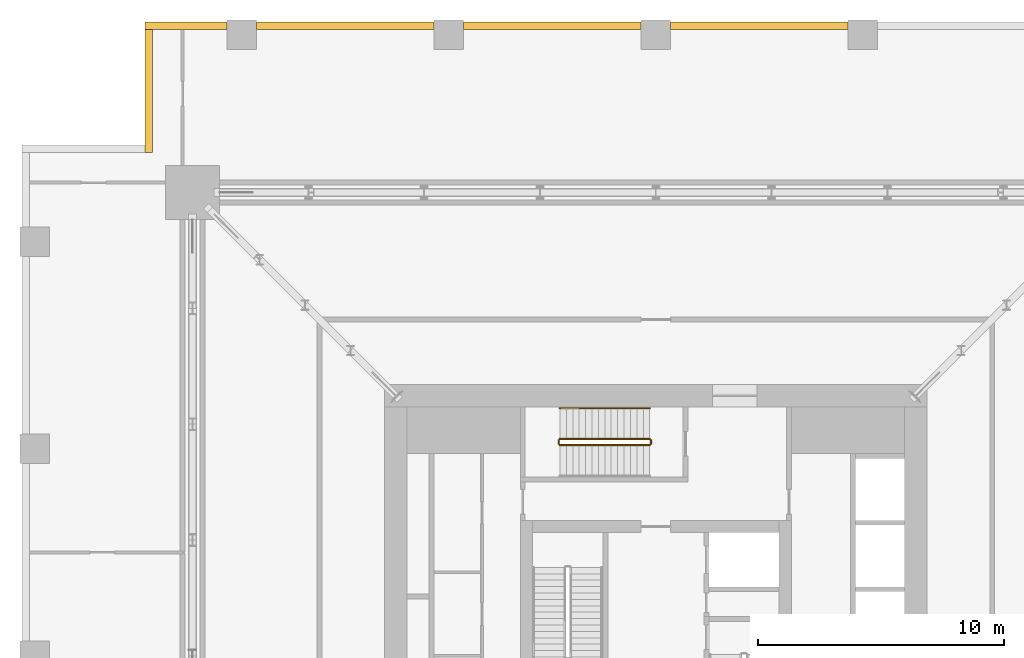
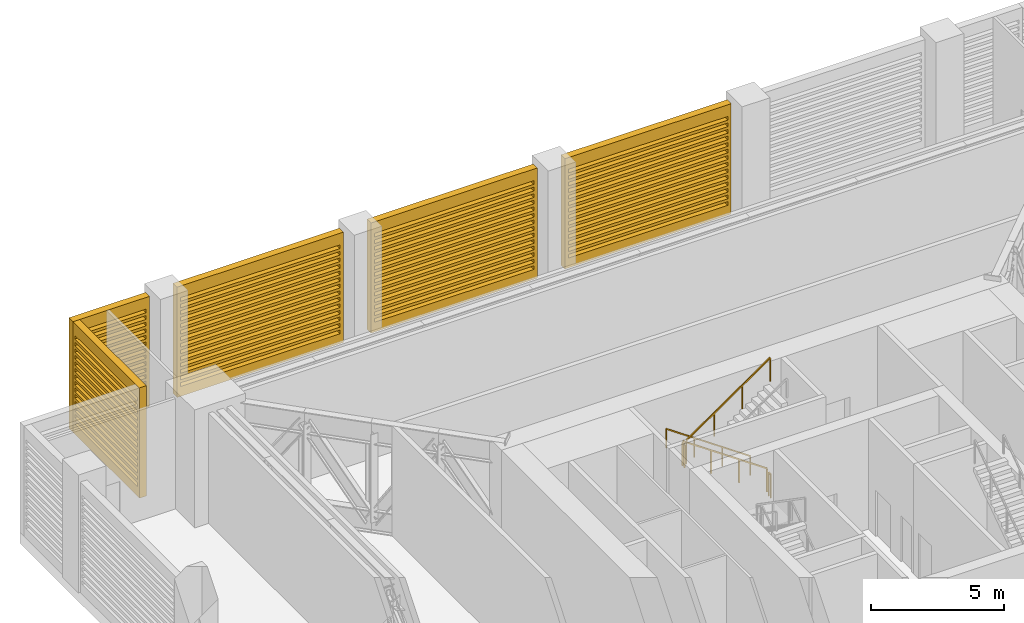
# One storey, part 15 of 16: 5 railings, 5 shading devices.
"""IFC4 building model written with IfcOpenShell, lengths in metres."""

from ifc_helpers import new_model, si_unit, direction, frame, origin, origin_2d, place, context, subcontext, project, spatial, polyline, rectangle, outline, extrude, material, type_object, element, save


model = new_model("IFC4")

# Units and contexts
model_context = context("Model", 3, precision=1e-05, world=origin(), true_north=direction((0.0, 1.0)))
body_context = subcontext(model_context, "Body", "Model", "MODEL_VIEW")
ifc_project = project(units=[si_unit("LENGTHUNIT", "METRE"), si_unit("AREAUNIT", "SQUARE_METRE"), si_unit("VOLUMEUNIT", "CUBIC_METRE"), si_unit("PLANEANGLEUNIT", "RADIAN"), si_unit("MASSUNIT", "GRAM", prefix="KILO")], contexts=[model_context])

# Site, building, storey
site_placement = place(None, origin())
site = spatial("IfcSite", under=ifc_project, at=site_placement, CompositionType="ELEMENT")
building_placement = place(site_placement, origin())
building = spatial("IfcBuilding", under=site, at=building_placement, Name="Khepri Terraces", CompositionType="ELEMENT")
storey_placement = place(building_placement, frame((0.0, 0.0, 287.39990234375)))
storey = spatial("IfcBuildingStorey", under=building, at=storey_placement, Name="L69", CompositionType="ELEMENT", Elevation=287.39990234375)

# Shading devices
ifc_material_1 = material(Name="Anodised aluminium bronze", Category="aluminium")
shading_device_type = type_object("IfcShadingDeviceType", Name="LVR-PLANT-300", PredefinedType="USERDEFINED", material=ifc_material_1)
shading_device_1_placement = place(storey_placement, frame((7.800048828125, 25.419921875, 0.0), z_axis=(0.0, 1.0, 0.0), x_axis=(-1.0, 0.0, 0.0)))
element("IfcShadingDevice", 1, at=shading_device_1_placement, inside=storey, type_object=shading_device_type, Name="Louvre wall L69 N", ObjectType="LOUVRE", PredefinedType="USERDEFINED", context=body_context, shape_type="SweptSolid", body=[
    extrude(outline(polyline([(0.0, 0.0), (7.199951171875, 0.0), (7.199951171875, 5.050048828125), (0.0, 5.050048828125), (0.0, 0.0)]), holes=[polyline([(0.14990234375, 0.449951171875), (7.050048828125, 0.449951171875), (7.050048828125, 0.6201171875), (0.14990234375, 0.6201171875), (0.14990234375, 0.449951171875)]), polyline([(0.14990234375, 0.75), (7.050048828125, 0.75), (7.050048828125, 0.919921875), (0.14990234375, 0.919921875), (0.14990234375, 0.75)]), polyline([(0.14990234375, 1.050048828125), (7.050048828125, 1.050048828125), (7.050048828125, 1.219970703125), (0.14990234375, 1.219970703125), (0.14990234375, 1.050048828125)]), polyline([(0.14990234375, 1.35009765625), (7.050048828125, 1.35009765625), (7.050048828125, 1.52001953125), (0.14990234375, 1.52001953125), (0.14990234375, 1.35009765625)]), polyline([(0.14990234375, 1.64990234375), (7.050048828125, 1.64990234375), (7.050048828125, 1.820068359375), (0.14990234375, 1.820068359375), (0.14990234375, 1.64990234375)]), polyline([(0.14990234375, 1.949951171875), (7.050048828125, 1.949951171875), (7.050048828125, 2.1201171875), (0.14990234375, 2.1201171875), (0.14990234375, 1.949951171875)]), polyline([(0.14990234375, 2.25), (7.050048828125, 2.25), (7.050048828125, 2.419921875), (0.14990234375, 2.419921875), (0.14990234375, 2.25)]), polyline([(0.14990234375, 2.550048828125), (7.050048828125, 2.550048828125), (7.050048828125, 2.719970703125), (0.14990234375, 2.719970703125), (0.14990234375, 2.550048828125)]), polyline([(0.14990234375, 2.85009765625), (7.050048828125, 2.85009765625), (7.050048828125, 3.02001953125), (0.14990234375, 3.02001953125), (0.14990234375, 2.85009765625)]), polyline([(0.14990234375, 3.14990234375), (7.050048828125, 3.14990234375), (7.050048828125, 3.320068359375), (0.14990234375, 3.320068359375), (0.14990234375, 3.14990234375)]), polyline([(0.14990234375, 3.449951171875), (7.050048828125, 3.449951171875), (7.050048828125, 3.6201171875), (0.14990234375, 3.6201171875), (0.14990234375, 3.449951171875)]), polyline([(0.14990234375, 3.75), (7.050048828125, 3.75), (7.050048828125, 3.919921875), (0.14990234375, 3.919921875), (0.14990234375, 3.75)]), polyline([(0.14990234375, 4.050048828125), (7.050048828125, 4.050048828125), (7.050048828125, 4.219970703125), (0.14990234375, 4.219970703125), (0.14990234375, 4.050048828125)]), polyline([(0.14990234375, 4.35009765625), (7.050048828125, 4.35009765625), (7.050048828125, 4.52001953125), (0.14990234375, 4.52001953125), (0.14990234375, 4.35009765625)])]), origin(), (0.0, 0.0, 1.0), 0.300048828125),
])
shading_device_2_placement = place(storey_placement, frame((-0.60009765625, 25.419921875, 0.0), z_axis=(0.0, 1.0, 0.0), x_axis=(-1.0, 0.0, 0.0)))
element("IfcShadingDevice", 2, at=shading_device_2_placement, inside=storey, type_object=shading_device_type, Name="Louvre wall L69 N", ObjectType="LOUVRE", PredefinedType="USERDEFINED", context=body_context, shape_type="SweptSolid", body=[
    extrude(outline(polyline([(0.0, 0.0), (7.199951171875, 0.0), (7.199951171875, 5.050048828125), (0.0, 5.050048828125), (0.0, 0.0)]), holes=[polyline([(0.14990234375, 0.449951171875), (7.050048828125, 0.449951171875), (7.050048828125, 0.6201171875), (0.14990234375, 0.6201171875), (0.14990234375, 0.449951171875)]), polyline([(0.14990234375, 0.75), (7.050048828125, 0.75), (7.050048828125, 0.919921875), (0.14990234375, 0.919921875), (0.14990234375, 0.75)]), polyline([(0.14990234375, 1.050048828125), (7.050048828125, 1.050048828125), (7.050048828125, 1.219970703125), (0.14990234375, 1.219970703125), (0.14990234375, 1.050048828125)]), polyline([(0.14990234375, 1.35009765625), (7.050048828125, 1.35009765625), (7.050048828125, 1.52001953125), (0.14990234375, 1.52001953125), (0.14990234375, 1.35009765625)]), polyline([(0.14990234375, 1.64990234375), (7.050048828125, 1.64990234375), (7.050048828125, 1.820068359375), (0.14990234375, 1.820068359375), (0.14990234375, 1.64990234375)]), polyline([(0.14990234375, 1.949951171875), (7.050048828125, 1.949951171875), (7.050048828125, 2.1201171875), (0.14990234375, 2.1201171875), (0.14990234375, 1.949951171875)]), polyline([(0.14990234375, 2.25), (7.050048828125, 2.25), (7.050048828125, 2.419921875), (0.14990234375, 2.419921875), (0.14990234375, 2.25)]), polyline([(0.14990234375, 2.550048828125), (7.050048828125, 2.550048828125), (7.050048828125, 2.719970703125), (0.14990234375, 2.719970703125), (0.14990234375, 2.550048828125)]), polyline([(0.14990234375, 2.85009765625), (7.050048828125, 2.85009765625), (7.050048828125, 3.02001953125), (0.14990234375, 3.02001953125), (0.14990234375, 2.85009765625)]), polyline([(0.14990234375, 3.14990234375), (7.050048828125, 3.14990234375), (7.050048828125, 3.320068359375), (0.14990234375, 3.320068359375), (0.14990234375, 3.14990234375)]), polyline([(0.14990234375, 3.449951171875), (7.050048828125, 3.449951171875), (7.050048828125, 3.6201171875), (0.14990234375, 3.6201171875), (0.14990234375, 3.449951171875)]), polyline([(0.14990234375, 3.75), (7.050048828125, 3.75), (7.050048828125, 3.919921875), (0.14990234375, 3.919921875), (0.14990234375, 3.75)]), polyline([(0.14990234375, 4.050048828125), (7.050048828125, 4.050048828125), (7.050048828125, 4.219970703125), (0.14990234375, 4.219970703125), (0.14990234375, 4.050048828125)]), polyline([(0.14990234375, 4.35009765625), (7.050048828125, 4.35009765625), (7.050048828125, 4.52001953125), (0.14990234375, 4.52001953125), (0.14990234375, 4.35009765625)])]), origin(), (0.0, 0.0, 1.0), 0.300048828125),
])
shading_device_3_placement = place(storey_placement, frame((-9.0, 25.419921875, 0.0), z_axis=(0.0, 1.0, 0.0), x_axis=(-1.0, 0.0, 0.0)))
element("IfcShadingDevice", 3, at=shading_device_3_placement, inside=storey, type_object=shading_device_type, Name="Louvre wall L69 N", ObjectType="LOUVRE", PredefinedType="USERDEFINED", context=body_context, shape_type="SweptSolid", body=[
    extrude(outline(polyline([(0.0, 0.0), (7.199951171875, 0.0), (7.199951171875, 5.050048828125), (0.0, 5.050048828125), (0.0, 0.0)]), holes=[polyline([(0.14990234375, 0.449951171875), (7.050048828125, 0.449951171875), (7.050048828125, 0.6201171875), (0.14990234375, 0.6201171875), (0.14990234375, 0.449951171875)]), polyline([(0.14990234375, 0.75), (7.050048828125, 0.75), (7.050048828125, 0.919921875), (0.14990234375, 0.919921875), (0.14990234375, 0.75)]), polyline([(0.14990234375, 1.050048828125), (7.050048828125, 1.050048828125), (7.050048828125, 1.219970703125), (0.14990234375, 1.219970703125), (0.14990234375, 1.050048828125)]), polyline([(0.14990234375, 1.35009765625), (7.050048828125, 1.35009765625), (7.050048828125, 1.52001953125), (0.14990234375, 1.52001953125), (0.14990234375, 1.35009765625)]), polyline([(0.14990234375, 1.64990234375), (7.050048828125, 1.64990234375), (7.050048828125, 1.820068359375), (0.14990234375, 1.820068359375), (0.14990234375, 1.64990234375)]), polyline([(0.14990234375, 1.949951171875), (7.050048828125, 1.949951171875), (7.050048828125, 2.1201171875), (0.14990234375, 2.1201171875), (0.14990234375, 1.949951171875)]), polyline([(0.14990234375, 2.25), (7.050048828125, 2.25), (7.050048828125, 2.419921875), (0.14990234375, 2.419921875), (0.14990234375, 2.25)]), polyline([(0.14990234375, 2.550048828125), (7.050048828125, 2.550048828125), (7.050048828125, 2.719970703125), (0.14990234375, 2.719970703125), (0.14990234375, 2.550048828125)]), polyline([(0.14990234375, 2.85009765625), (7.050048828125, 2.85009765625), (7.050048828125, 3.02001953125), (0.14990234375, 3.02001953125), (0.14990234375, 2.85009765625)]), polyline([(0.14990234375, 3.14990234375), (7.050048828125, 3.14990234375), (7.050048828125, 3.320068359375), (0.14990234375, 3.320068359375), (0.14990234375, 3.14990234375)]), polyline([(0.14990234375, 3.449951171875), (7.050048828125, 3.449951171875), (7.050048828125, 3.6201171875), (0.14990234375, 3.6201171875), (0.14990234375, 3.449951171875)]), polyline([(0.14990234375, 3.75), (7.050048828125, 3.75), (7.050048828125, 3.919921875), (0.14990234375, 3.919921875), (0.14990234375, 3.75)]), polyline([(0.14990234375, 4.050048828125), (7.050048828125, 4.050048828125), (7.050048828125, 4.219970703125), (0.14990234375, 4.219970703125), (0.14990234375, 4.050048828125)]), polyline([(0.14990234375, 4.35009765625), (7.050048828125, 4.35009765625), (7.050048828125, 4.52001953125), (0.14990234375, 4.52001953125), (0.14990234375, 4.35009765625)])]), origin(), (0.0, 0.0, 1.0), 0.300048828125),
])
shading_device_4_placement = place(storey_placement, frame((-17.39990234375, 25.419921875, 0.0), z_axis=(0.0, 1.0, 0.0), x_axis=(-1.0, 0.0, 0.0)))
element("IfcShadingDevice", 4, at=shading_device_4_placement, inside=storey, type_object=shading_device_type, Name="Louvre wall L69 N", ObjectType="LOUVRE", PredefinedType="USERDEFINED", context=body_context, shape_type="SweptSolid", body=[
    extrude(outline(polyline([(0.0, 0.0), (3.320068359375, 0.0), (3.320068359375, 5.050048828125), (0.0, 5.050048828125), (0.0, 0.0)]), holes=[polyline([(0.14990234375, 0.449951171875), (3.169921875, 0.449951171875), (3.169921875, 0.6201171875), (0.14990234375, 0.6201171875), (0.14990234375, 0.449951171875)]), polyline([(0.14990234375, 0.75), (3.169921875, 0.75), (3.169921875, 0.919921875), (0.14990234375, 0.919921875), (0.14990234375, 0.75)]), polyline([(0.14990234375, 1.050048828125), (3.169921875, 1.050048828125), (3.169921875, 1.219970703125), (0.14990234375, 1.219970703125), (0.14990234375, 1.050048828125)]), polyline([(0.14990234375, 1.35009765625), (3.169921875, 1.35009765625), (3.169921875, 1.52001953125), (0.14990234375, 1.52001953125), (0.14990234375, 1.35009765625)]), polyline([(0.14990234375, 1.64990234375), (3.169921875, 1.64990234375), (3.169921875, 1.820068359375), (0.14990234375, 1.820068359375), (0.14990234375, 1.64990234375)]), polyline([(0.14990234375, 1.949951171875), (3.169921875, 1.949951171875), (3.169921875, 2.1201171875), (0.14990234375, 2.1201171875), (0.14990234375, 1.949951171875)]), polyline([(0.14990234375, 2.25), (3.169921875, 2.25), (3.169921875, 2.419921875), (0.14990234375, 2.419921875), (0.14990234375, 2.25)]), polyline([(0.14990234375, 2.550048828125), (3.169921875, 2.550048828125), (3.169921875, 2.719970703125), (0.14990234375, 2.719970703125), (0.14990234375, 2.550048828125)]), polyline([(0.14990234375, 2.85009765625), (3.169921875, 2.85009765625), (3.169921875, 3.02001953125), (0.14990234375, 3.02001953125), (0.14990234375, 2.85009765625)]), polyline([(0.14990234375, 3.14990234375), (3.169921875, 3.14990234375), (3.169921875, 3.320068359375), (0.14990234375, 3.320068359375), (0.14990234375, 3.14990234375)]), polyline([(0.14990234375, 3.449951171875), (3.169921875, 3.449951171875), (3.169921875, 3.6201171875), (0.14990234375, 3.6201171875), (0.14990234375, 3.449951171875)]), polyline([(0.14990234375, 3.75), (3.169921875, 3.75), (3.169921875, 3.919921875), (0.14990234375, 3.919921875), (0.14990234375, 3.75)]), polyline([(0.14990234375, 4.050048828125), (3.169921875, 4.050048828125), (3.169921875, 4.219970703125), (0.14990234375, 4.219970703125), (0.14990234375, 4.050048828125)]), polyline([(0.14990234375, 4.35009765625), (3.169921875, 4.35009765625), (3.169921875, 4.52001953125), (0.14990234375, 4.52001953125), (0.14990234375, 4.35009765625)])]), origin(), (0.0, 0.0, 1.0), 0.300048828125),
])
shading_device_5_placement = place(storey_placement, frame((-20.419921875, 25.419921875, 0.0), z_axis=(-1.0, 0.0, 0.0), x_axis=(0.0, -1.0, 0.0)))
element("IfcShadingDevice", 5, at=shading_device_5_placement, inside=storey, type_object=shading_device_type, Name="Louvre wall L69 W", ObjectType="LOUVRE", PredefinedType="USERDEFINED", context=body_context, shape_type="SweptSolid", body=[
    extrude(outline(polyline([(0.0, 0.0), (5.0, 0.0), (5.0, 5.050048828125), (0.0, 5.050048828125), (0.0, 0.0)]), holes=[polyline([(0.14990234375, 0.449951171875), (4.85009765625, 0.449951171875), (4.85009765625, 0.6201171875), (0.14990234375, 0.6201171875), (0.14990234375, 0.449951171875)]), polyline([(0.14990234375, 0.75), (4.85009765625, 0.75), (4.85009765625, 0.919921875), (0.14990234375, 0.919921875), (0.14990234375, 0.75)]), polyline([(0.14990234375, 1.050048828125), (4.85009765625, 1.050048828125), (4.85009765625, 1.219970703125), (0.14990234375, 1.219970703125), (0.14990234375, 1.050048828125)]), polyline([(0.14990234375, 1.35009765625), (4.85009765625, 1.35009765625), (4.85009765625, 1.52001953125), (0.14990234375, 1.52001953125), (0.14990234375, 1.35009765625)]), polyline([(0.14990234375, 1.64990234375), (4.85009765625, 1.64990234375), (4.85009765625, 1.820068359375), (0.14990234375, 1.820068359375), (0.14990234375, 1.64990234375)]), polyline([(0.14990234375, 1.949951171875), (4.85009765625, 1.949951171875), (4.85009765625, 2.1201171875), (0.14990234375, 2.1201171875), (0.14990234375, 1.949951171875)]), polyline([(0.14990234375, 2.25), (4.85009765625, 2.25), (4.85009765625, 2.419921875), (0.14990234375, 2.419921875), (0.14990234375, 2.25)]), polyline([(0.14990234375, 2.550048828125), (4.85009765625, 2.550048828125), (4.85009765625, 2.719970703125), (0.14990234375, 2.719970703125), (0.14990234375, 2.550048828125)]), polyline([(0.14990234375, 2.85009765625), (4.85009765625, 2.85009765625), (4.85009765625, 3.02001953125), (0.14990234375, 3.02001953125), (0.14990234375, 2.85009765625)]), polyline([(0.14990234375, 3.14990234375), (4.85009765625, 3.14990234375), (4.85009765625, 3.320068359375), (0.14990234375, 3.320068359375), (0.14990234375, 3.14990234375)]), polyline([(0.14990234375, 3.449951171875), (4.85009765625, 3.449951171875), (4.85009765625, 3.6201171875), (0.14990234375, 3.6201171875), (0.14990234375, 3.449951171875)]), polyline([(0.14990234375, 3.75), (4.85009765625, 3.75), (4.85009765625, 3.919921875), (0.14990234375, 3.919921875), (0.14990234375, 3.75)]), polyline([(0.14990234375, 4.050048828125), (4.85009765625, 4.050048828125), (4.85009765625, 4.219970703125), (0.14990234375, 4.219970703125), (0.14990234375, 4.050048828125)]), polyline([(0.14990234375, 4.35009765625), (4.85009765625, 4.35009765625), (4.85009765625, 4.52001953125), (0.14990234375, 4.52001953125), (0.14990234375, 4.35009765625)])]), origin(), (0.0, 0.0, 1.0), 0.300048828125),
])

# Railings
ifc_material_2 = material(Name="Stainless steel 316", Category="steel")
railing_type_1 = type_object("IfcRailingType", Name="RL-CORE-GUARD", PredefinedType="GUARDRAIL", material=ifc_material_2)
railing_1_placement = place(storey_placement, frame((-0.25, 8.800048828125, 0.18017578125)))
element("IfcRailing", 6, at=railing_1_placement, inside=storey, type_object=railing_type_1, Name="L69 ST-3 stair guard 1", PredefinedType="GUARDRAIL", context=body_context, shape_type="SweptSolid", body=[
    extrude(rectangle(XDim=0.050048828125, YDim=0.06005859375, at=origin_2d()), frame((0.0, 0.0, 1.070068359375), z_axis=(-0.822182265111, 0.0, 0.569224316888), x_axis=(0.0, -1.0, 0.0)), (0.0, 0.0, 1.0), 4.427001953125),
    extrude(rectangle(XDim=0.050048828125, YDim=0.050048828125, at=origin_2d()), origin(), (0.0, 0.0, 1.0), 1.0400390625),
    extrude(rectangle(XDim=0.050048828125, YDim=0.050048828125, at=origin_2d()), frame((-1.21337890625, 0.0, 0.840087890625)), (0.0, 0.0, 1.0), 1.0400390625),
    extrude(rectangle(XDim=0.050048828125, YDim=0.050048828125, at=origin_2d()), frame((-2.426513671875, 0.0, 1.679931640625)), (0.0, 0.0, 1.0), 1.0400390625),
    extrude(rectangle(XDim=0.050048828125, YDim=0.050048828125, at=origin_2d()), frame((-3.639892578125, 0.0, 2.52001953125)), (0.0, 0.0, 1.0), 1.0400390625),
])
railing_2_placement = place(storey_placement, frame((-3.93994140625, 8.75, 2.7001953125)))
element("IfcRailing", 7, at=railing_2_placement, inside=storey, type_object=railing_type_1, Name="L69 ST-3 stair guard 2", PredefinedType="GUARDRAIL", context=body_context, shape_type="SweptSolid", body=[
    extrude(rectangle(XDim=0.050048828125, YDim=0.06005859375, at=origin_2d()), frame((0.0, 0.0, 1.070068359375), z_axis=(0.0, -1.0, 0.0), x_axis=(1.0, 0.0, 0.0)), (0.0, 0.0, 1.0), 0.14990234375),
    extrude(rectangle(XDim=0.050048828125, YDim=0.050048828125, at=origin_2d()), origin(), (0.0, 0.0, 1.0), 1.0400390625),
    extrude(rectangle(XDim=0.050048828125, YDim=0.050048828125, at=origin_2d()), frame((0.0, -0.14990234375, 0.0)), (0.0, 0.0, 1.0), 1.0400390625),
])
railing_3_placement = place(storey_placement, frame((-3.889892578125, 8.550048828125, 2.880126953125)))
element("IfcRailing", 8, at=railing_3_placement, inside=storey, type_object=railing_type_1, Name="L69 ST-3 stair guard 3", PredefinedType="GUARDRAIL", context=body_context, shape_type="SweptSolid", body=[
    extrude(rectangle(XDim=0.050048828125, YDim=0.06005859375, at=origin_2d()), frame((0.0, 0.0, 1.070068359375), z_axis=(0.822182265111, 0.0, 0.569224316888), x_axis=(0.0, 1.0, 0.0)), (0.0, 0.0, 1.0), 4.427001953125),
    extrude(rectangle(XDim=0.050048828125, YDim=0.050048828125, at=origin_2d()), origin(), (0.0, 0.0, 1.0), 1.0400390625),
    extrude(rectangle(XDim=0.050048828125, YDim=0.050048828125, at=origin_2d()), frame((1.21337890625, 0.0, 0.840087890625)), (0.0, 0.0, 1.0), 1.0400390625),
    extrude(rectangle(XDim=0.050048828125, YDim=0.050048828125, at=origin_2d()), frame((2.426513671875, 0.0, 1.679931640625)), (0.0, 0.0, 1.0), 1.0400390625),
    extrude(rectangle(XDim=0.050048828125, YDim=0.050048828125, at=origin_2d()), frame((3.639892578125, 0.0, 2.52001953125)), (0.0, 0.0, 1.0), 1.0400390625),
])
railing_4_placement = place(storey_placement, frame((-0.199951171875, 8.75, 0.0)))
element("IfcRailing", 9, at=railing_4_placement, inside=storey, type_object=railing_type_1, Name="L69 ST-3 stair guard 4", PredefinedType="GUARDRAIL", context=body_context, shape_type="SweptSolid", body=[
    extrude(rectangle(XDim=0.050048828125, YDim=0.06005859375, at=origin_2d()), frame((0.0, 0.0, 1.070068359375), z_axis=(0.0, -1.0, 0.0), x_axis=(1.0, 0.0, 0.0)), (0.0, 0.0, 1.0), 0.14990234375),
    extrude(rectangle(XDim=0.050048828125, YDim=0.050048828125, at=origin_2d()), origin(), (0.0, 0.0, 1.0), 1.0400390625),
    extrude(rectangle(XDim=0.050048828125, YDim=0.050048828125, at=origin_2d()), frame((0.0, -0.14990234375, 0.0)), (0.0, 0.0, 1.0), 1.0400390625),
])
railing_type_2 = type_object("IfcRailingType", Name="RL-CORE-HANDRAIL", PredefinedType="HANDRAIL", material=ifc_material_2)
railing_5_placement = place(storey_placement, frame((-0.25, 10.050048828125, 0.18017578125)))
element("IfcRailing", 10, at=railing_5_placement, inside=storey, type_object=railing_type_2, Name="L69 ST-3 stair handrail 1", PredefinedType="HANDRAIL", context=body_context, shape_type="SweptSolid", body=[
    extrude(rectangle(XDim=0.050048828125, YDim=0.050048828125, at=origin_2d()), frame((0.0, 0.0, 0.875), z_axis=(-0.822182265111, 0.0, 0.569224316888), x_axis=(0.0, -1.0, 0.0)), (0.0, 0.0, 1.0), 4.427001953125),
    extrude(rectangle(XDim=0.050048828125, YDim=0.050048828125, at=origin_2d()), origin(), (0.0, 0.0, 1.0), 0.849853515625),
    extrude(rectangle(XDim=0.050048828125, YDim=0.050048828125, at=origin_2d()), frame((-1.21337890625, 0.0, 0.840087890625)), (0.0, 0.0, 1.0), 0.849853515625),
    extrude(rectangle(XDim=0.050048828125, YDim=0.050048828125, at=origin_2d()), frame((-2.426513671875, 0.0, 1.679931640625)), (0.0, 0.0, 1.0), 0.849853515625),
    extrude(rectangle(XDim=0.050048828125, YDim=0.050048828125, at=origin_2d()), frame((-3.639892578125, 0.0, 2.52001953125)), (0.0, 0.0, 1.0), 0.849853515625),
])

save(model, "model.ifc")
